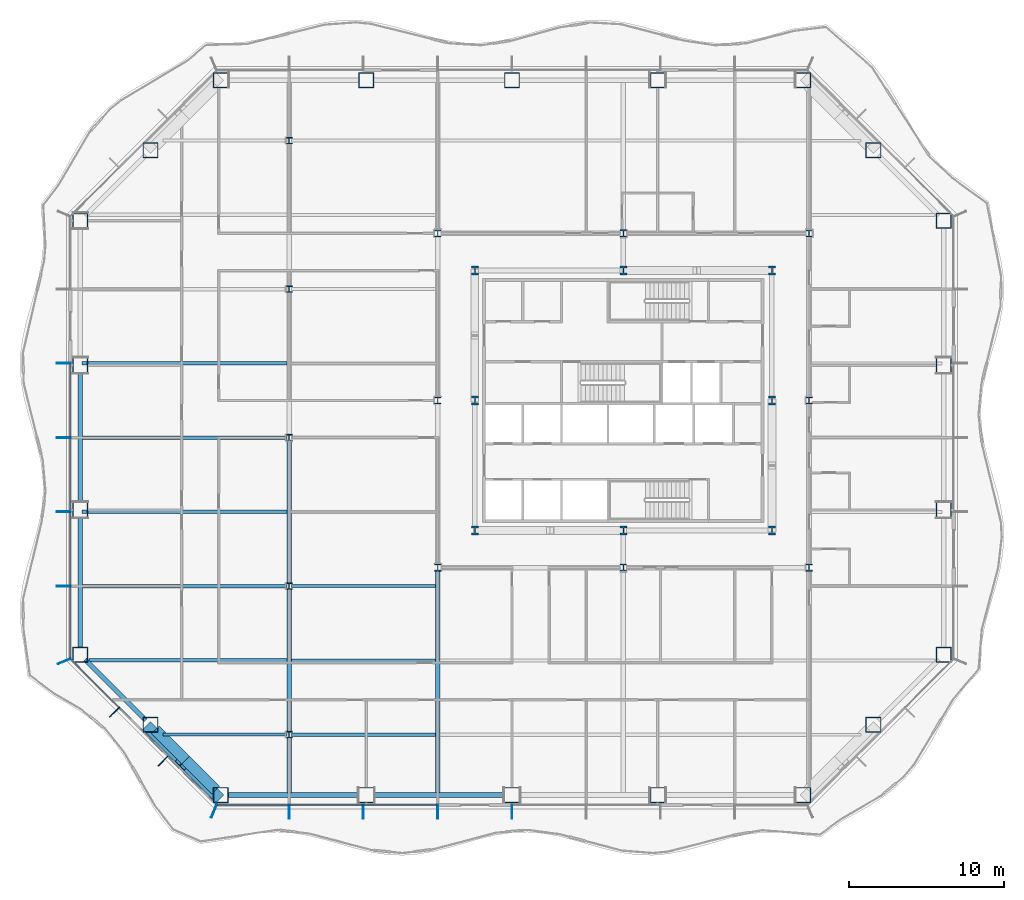
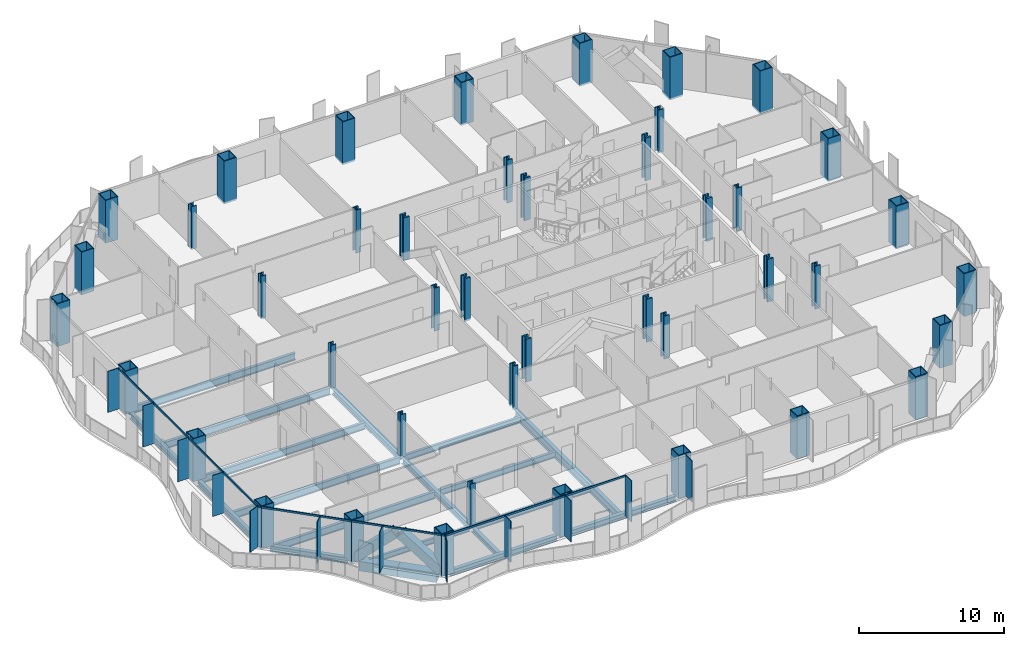
# One storey, part 1 of 21: 43 columns, 24 members, 20 beams, 3 elements without a shape of their own.
"""IFC4 building model written with IfcOpenShell, lengths in metres."""

import ifcopenshell
import ifcopenshell.guid

model = None  # the IFC model being written
_history = None  # IfcOwnerHistory: only IFC2X3 demands one
_inside = {}  # id of a spatial element -> (the spatial element, [elements in it])
_under = {}  # id of a project, library or spatial element -> (it, [spatial elements below it])
_declared = {}  # id of a project -> (the project, [libraries it declares])
_typed = {}  # id of a type object -> (the type object, [elements of that type])
_made_of = {}  # id of a material, layer set ... -> (it, [elements and type objects made of it])


def new_model(schema):
    """Start an empty IFC model of exactly this schema.

    Asked for "IFC4X3", IfcOpenShell would pick the latest addendum, in which some entities
    have other attributes; the version numbers below select the first issue.
    IFC2X3 requires an IfcOwnerHistory on every rooted entity: one is made here for all.
    """
    global model, _history
    if schema == "IFC4X3":
        model = ifcopenshell.file(schema_version=(4, 3, 0, 0))
    else:
        model = ifcopenshell.file(schema=schema)
    _inside.clear()
    _under.clear()
    _declared.clear()
    _typed.clear()
    _made_of.clear()
    _history = None
    if model.schema == "IFC2X3":
        org = make("IfcOrganization", Name="unknown")
        user = make(
            "IfcPersonAndOrganization",
            ThePerson=make("IfcPerson", FamilyName="unknown"),
            TheOrganization=org,
        )
        app = make(
            "IfcApplication",
            ApplicationDeveloper=org,
            Version="unknown",
            ApplicationFullName="unknown",
            ApplicationIdentifier="unknown",
        )
        _history = make(
            "IfcOwnerHistory",
            OwningUser=user,
            OwningApplication=app,
            ChangeAction="ADDED",
            CreationDate=0,
        )
    return model


def make(cls, **values):
    """One entity of the class cls with the attributes given. An attribute that is None is left unset."""
    return model.create_entity(
        cls, **{name: value for name, value in values.items() if value is not None}
    )


def rooted(cls, **values):
    """An entity with a GlobalId (a new one), such as an element, a storey or a relation."""
    return make(cls, GlobalId=ifcopenshell.guid.new(), OwnerHistory=_history, **values)


def si_unit(unit_type, name, prefix=None):
    """IfcSIUnit, for example si_unit("LENGTHUNIT", "METRE", prefix="MILLI")."""
    return make("IfcSIUnit", UnitType=unit_type, Prefix=prefix, Name=name)


def assignment(units):
    """IfcUnitAssignment: the units of a project."""
    return None if units is None else make("IfcUnitAssignment", Units=units)


def point(xyz):
    """IfcCartesianPoint."""
    return None if xyz is None else make("IfcCartesianPoint", Coordinates=xyz)


def direction(xyz):
    """IfcDirection."""
    return None if xyz is None else make("IfcDirection", DirectionRatios=xyz)


def frame(location, z_axis=None, x_axis=None):
    """IfcAxis2Placement3D, a coordinate frame: its origin and axes. An axis left out is left unset."""
    return make(
        "IfcAxis2Placement3D",
        Location=point(location),
        Axis=direction(z_axis),
        RefDirection=direction(x_axis),
    )


def frame_2d(location, x_axis=None):
    """IfcAxis2Placement2D, a coordinate frame in the plane: its origin and x axis."""
    return make(
        "IfcAxis2Placement2D", Location=point(location), RefDirection=direction(x_axis)
    )


def origin():
    """The frame at (0, 0, 0) with its axes left unset."""
    return frame((0.0, 0.0, 0.0))


def origin_2d():
    """The frame at (0, 0) in the plane with its x axis left unset."""
    return frame_2d((0.0, 0.0))


def place(relative_to, where):
    """IfcLocalPlacement: puts the frame where relative to a parent placement (None: the world)."""
    return make(
        "IfcLocalPlacement", PlacementRelTo=relative_to, RelativePlacement=where
    )


def context(
    kind, dimensions, precision=None, world=None, true_north=None, identifier=None
):
    """IfcGeometricRepresentationContext, for example the 3D "Model" context."""
    return make(
        "IfcGeometricRepresentationContext",
        ContextIdentifier=identifier,
        ContextType=kind,
        CoordinateSpaceDimension=dimensions,
        Precision=precision,
        WorldCoordinateSystem=world,
        TrueNorth=true_north,
    )


def subcontext(parent, identifier, kind, view, scale=None):
    """IfcGeometricRepresentationSubContext, for example "Body" below "Model"."""
    return make(
        "IfcGeometricRepresentationSubContext",
        ContextIdentifier=identifier,
        ContextType=kind,
        ParentContext=parent,
        TargetScale=scale,
        TargetView=view,
    )


def project(units=None, contexts=None):
    """IfcProject with its units and contexts."""
    return rooted(
        "IfcProject",
        Name="project",
        RepresentationContexts=contexts,
        UnitsInContext=assignment(units),
    )


def spatial(cls, under=None, at=None, **own):
    """A site, building, storey or space (cls), placed at a placement, below another one or the project."""
    s = rooted(cls, ObjectPlacement=at, **own)
    if under is not None:
        _under.setdefault(under.id(), (under, []))[1].append(s)
    return s


def profile(cls, at=None, kind="AREA", **sizes):
    """A parametric profile (cls). Its sizes go by their IFC names, for example OverallWidth=200.0."""
    return make(cls, ProfileType=kind, Position=at, **sizes)


def rectangle(**sizes):
    """IfcRectangleProfileDef."""
    return profile("IfcRectangleProfileDef", **sizes)


def hollow_rectangle(**sizes):
    """IfcRectangleHollowProfileDef."""
    return profile("IfcRectangleHollowProfileDef", **sizes)


def i_section(**sizes):
    """IfcIShapeProfileDef."""
    return profile("IfcIShapeProfileDef", **sizes)


def extrude(swept, where, along, depth):
    """IfcExtrudedAreaSolid: the profile swept, set in the frame where, extruded along a direction by depth."""
    return make(
        "IfcExtrudedAreaSolid",
        SweptArea=swept,
        Position=where,
        ExtrudedDirection=direction(along),
        Depth=depth,
    )


def shape(context_of_items, identifier, shape_type, items):
    """IfcShapeRepresentation: the items that make up one representation, for example the "Body"."""
    return make(
        "IfcShapeRepresentation",
        ContextOfItems=context_of_items,
        RepresentationIdentifier=identifier,
        RepresentationType=shape_type,
        Items=items,
    )


def material(Name=None, Category=None):
    """IfcMaterial."""
    return make("IfcMaterial", Name=Name, Category=Category)


def material_profile(
    of_material, cross_section, Name=None, Category=None, Priority=None
):
    """IfcMaterialProfile: a cross section and its material."""
    return make(
        "IfcMaterialProfile",
        Name=Name,
        Material=of_material,
        Profile=cross_section,
        Priority=Priority,
        Category=Category,
    )


def profile_set(profiles, Name=None, composite=None):
    """IfcMaterialProfileSet."""
    return make(
        "IfcMaterialProfileSet",
        Name=Name,
        MaterialProfiles=profiles,
        CompositeProfile=composite,
    )


def made_of(thing, what):
    """Note that an element or type object is made of a material, layer set ...; save() writes the relation."""
    if what is not None:
        _made_of.setdefault(what.id(), (what, []))[1].append(thing)
    return thing


def type_object(cls, material=None, **own):
    """A type object (cls), such as IfcWallType, which elements share."""
    return made_of(rooted(cls, **own), material)


def element(
    cls,
    number,
    at=None,
    inside=None,
    cuts=None,
    type_object=None,
    material=None,
    context=None,
    identifier="Body",
    shape_type=None,
    held_by="IfcProductDefinitionShape",
    body=None,
    shapes=None,
    **own,
):
    """One element of the class cls, such as IfcWall. Its Tag is "e" and its number.

    at: its placement. inside: the storey or other place that contains it. cuts: it is an
    opening in that element (IfcRelVoidsElement). A single representation is given by context,
    identifier, shape_type and body (its items); several are given by shapes. held_by: the class
    of the entity that holds the representations. save() writes the other relations.
    """
    e = rooted(cls, Tag="e%d" % number, ObjectPlacement=at, **own)
    if body is not None:
        shapes = [shape(context, identifier, shape_type, body)]
    if shapes is not None:
        e.Representation = make(held_by, Representations=shapes)
    if inside is not None:
        _inside.setdefault(inside.id(), (inside, []))[1].append(e)
    if cuts is not None:
        rooted(
            "IfcRelVoidsElement", RelatingBuildingElement=cuts, RelatedOpeningElement=e
        )
    if type_object is not None:
        _typed.setdefault(type_object.id(), (type_object, []))[1].append(e)
    return made_of(e, material)


def aggregate(whole, parts):
    """IfcRelAggregates: a whole, such as a stair, and the parts it consists of."""
    return rooted("IfcRelAggregates", RelatingObject=whole, RelatedObjects=parts)


def save(model, path):
    """Write the relations noted so far, then the file.

    IfcRelAggregates (storeys below a building ...), IfcRelContainedInSpatialStructure (elements
    in a storey), IfcRelDefinesByType, IfcRelAssociatesMaterial and IfcRelDeclares: one each for
    every whole, place, type object, material and project.
    """
    for whole, parts in _under.values():
        aggregate(whole, parts)
    for where, things in _inside.values():
        rooted(
            "IfcRelContainedInSpatialStructure",
            RelatedElements=things,
            RelatingStructure=where,
        )
    for kind, things in _typed.values():
        rooted("IfcRelDefinesByType", RelatedObjects=things, RelatingType=kind)
    for what, things in _made_of.values():
        rooted("IfcRelAssociatesMaterial", RelatedObjects=things, RelatingMaterial=what)
    for by, libraries in _declared.values():
        rooted("IfcRelDeclares", RelatingContext=by, RelatedDefinitions=libraries)
    model.write(path)


model = new_model("IFC4")

# Units and contexts
model_context = context("Model", 3, precision=1e-05, world=origin(), true_north=direction((0.0, 1.0)))
body_context = subcontext(model_context, "Body", "Model", "MODEL_VIEW")
ifc_project = project(units=[si_unit("LENGTHUNIT", "METRE"), si_unit("AREAUNIT", "SQUARE_METRE"), si_unit("VOLUMEUNIT", "CUBIC_METRE"), si_unit("PLANEANGLEUNIT", "RADIAN"), si_unit("MASSUNIT", "GRAM", prefix="KILO")], contexts=[model_context])

# Site, building, storey
site_placement = place(None, origin())
site = spatial("IfcSite", under=ifc_project, at=site_placement, CompositionType="ELEMENT")
building_placement = place(site_placement, origin())
building = spatial("IfcBuilding", under=site, at=building_placement, Name="Cairn Pilgrim Tower", CompositionType="ELEMENT")
storey_placement = place(building_placement, frame((0.0, 0.0, 58.199951171875)))
storey = spatial("IfcBuildingStorey", under=building, at=storey_placement, Name="L12", CompositionType="ELEMENT", Elevation=58.199951171875)

# Columns
ifc_material_1 = material(Name="Structural steel S460M", Category="steel")
ifc_material_profile_1 = material_profile(ifc_material_1, hollow_rectangle(XDim=1.0, YDim=1.0, WallThickness=0.06005859375, at=origin_2d()), Name="BOX 1000x1000x60")
ifc_profile_set_1 = profile_set([ifc_material_profile_1], Name="Structural steel S460M")
column_type_1 = type_object("IfcColumnType", Name="BOX 1000x1000x60", PredefinedType="COLUMN", material=ifc_profile_set_1)
for number, where, z_axis, x_axis, name in (
    (1, (-18.8271484375, -23.10009765625, -0.14990234375), (0.0, 0.0, 1.0), (1.0, 0.0, 0.0), "PC1-S1"),
    (2, (-9.41357421875, -23.10009765625, -0.14990234375), (0.0, 0.0, 1.0), (1.0, 0.0, 0.0), "PC1-S2"),
    (3, (0.0, -23.10009765625, -0.14990234375), (0.0, 0.0, 1.0), (1.0, 0.0, 0.0), "PC1-S3"),
    (4, (9.41357421875, -23.10009765625, -0.14990234375), (0.0, 0.0, 1.0), (1.0, 0.0, 0.0), "PC1-S4"),
    (5, (18.8271484375, -23.10009765625, -0.14990234375), (0.0, 0.0, 1.0), (1.0, 0.0, 0.0), "PC1-SE1"),
    (6, (23.363525390625, -18.563720703125, -0.14990234375), (0.0, 0.0, 1.0), (1.0, 0.0, 0.0), "PC1-SE2"),
    (7, (27.89990234375, -14.027099609375, -0.14990234375), (0.0, 0.0, 1.0), (1.0, 0.0, 0.0), "PC1-E1"),
    (8, (27.89990234375, -4.67578125, -0.14990234375), (0.0, 0.0, 1.0), (1.0, 0.0, 0.0), "PC1-E2"),
    (9, (27.89990234375, 4.67578125, -0.14990234375), (0.0, 0.0, 1.0), (1.0, 0.0, 0.0), "PC1-E3"),
    (10, (27.89990234375, 14.027099609375, -0.14990234375), (0.0, 0.0, 1.0), (1.0, 0.0, 0.0), "PC1-NE1"),
    (11, (23.363525390625, 18.563720703125, -0.14990234375), (0.0, 0.0, 1.0), (1.0, 0.0, 0.0), "PC1-NE2"),
    (12, (18.8271484375, 23.10009765625, -0.14990234375), (0.0, 0.0, 1.0), (1.0, 0.0, 0.0), "PC1-N1"),
    (13, (9.41357421875, 23.10009765625, -0.14990234375), (0.0, 0.0, 1.0), (1.0, 0.0, 0.0), "PC1-N2"),
    (14, (0.0, 23.10009765625, -0.14990234375), (0.0, 0.0, 1.0), (1.0, 0.0, 0.0), "PC1-N3"),
    (15, (-9.41357421875, 23.10009765625, -0.14990234375), (0.0, 0.0, 1.0), (1.0, 0.0, 0.0), "PC1-N4"),
    (16, (-18.8271484375, 23.10009765625, -0.14990234375), (0.0, 0.0, 1.0), (1.0, 0.0, 0.0), "PC1-NW1"),
    (17, (-23.363525390625, 18.563720703125, -0.14990234375), (0.0, 0.0, 1.0), (1.0, 0.0, 0.0), "PC1-NW2"),
    (18, (-27.89990234375, 14.027099609375, -0.14990234375), (0.0, 0.0, 1.0), (1.0, 0.0, 0.0), "PC1-W1"),
    (19, (-27.89990234375, 4.67578125, -0.14990234375), (0.0, 0.0, 1.0), (1.0, 0.0, 0.0), "PC1-W2"),
    (20, (-27.89990234375, -4.67578125, -0.14990234375), (0.0, 0.0, 1.0), (1.0, 0.0, 0.0), "PC1-W3"),
    (21, (-27.89990234375, -14.027099609375, -0.14990234375), (0.0, 0.0, 1.0), (1.0, 0.0, 0.0), "PC1-SW1"),
    (22, (-23.363525390625, -18.563720703125, -0.14990234375), (0.0, 0.0, 1.0), (1.0, 0.0, 0.0), "PC1-SW2"),
):
    element("IfcColumn", number, at=place(storey_placement, frame(where, z_axis=z_axis, x_axis=x_axis)), inside=storey, type_object=column_type_1, Name=name, PredefinedType="COLUMN", context=body_context, shape_type="SweptSolid", body=[
        extrude(hollow_rectangle(XDim=1.0, YDim=1.0, WallThickness=0.06005859375, at=origin_2d()), origin(), (0.0, 0.0, 1.0), 3.599853515625),
    ])
ifc_material_profile_2 = material_profile(ifc_material_1, i_section(OverallWidth=0.4541015625, OverallDepth=0.569091796875, WebThickness=0.077880859375, FlangeThickness=0.125, FilletRadius=0.014892578125, at=origin_2d()), Name="HD 400x1086")
ifc_profile_set_2 = profile_set([ifc_material_profile_2], Name="Structural steel S460M")
column_type_2 = type_object("IfcColumnType", Name="HD 400x1086", PredefinedType="COLUMN", material=ifc_profile_set_2)
for number, where, z_axis, x_axis, name in (
    (23, (-2.39990234375, -6.0, -0.14990234375), (0.0, 0.0, 1.0), (1.0, 0.0, 0.0), "KC-1"),
    (24, (7.199951171875, -6.0, -0.14990234375), (0.0, 0.0, 1.0), (1.0, 0.0, 0.0), "KC-2"),
    (25, (16.800048828125, -6.0, -0.14990234375), (0.0, 0.0, 1.0), (1.0, 0.0, 0.0), "KC-3"),
    (26, (-2.39990234375, 2.39990234375, -0.14990234375), (0.0, 0.0, 1.0), (1.0, 0.0, 0.0), "KC-4"),
    (27, (16.800048828125, 2.39990234375, -0.14990234375), (0.0, 0.0, 1.0), (1.0, 0.0, 0.0), "KC-5"),
    (28, (-2.39990234375, 10.800048828125, -0.14990234375), (0.0, 0.0, 1.0), (1.0, 0.0, 0.0), "KC-6"),
    (29, (7.199951171875, 10.800048828125, -0.14990234375), (0.0, 0.0, 1.0), (1.0, 0.0, 0.0), "KC-7"),
    (30, (16.800048828125, 10.800048828125, -0.14990234375), (0.0, 0.0, 1.0), (1.0, 0.0, 0.0), "KC-8"),
):
    element("IfcColumn", number, at=place(storey_placement, frame(where, z_axis=z_axis, x_axis=x_axis)), inside=storey, type_object=column_type_2, Name=name, PredefinedType="COLUMN", context=body_context, shape_type="SweptSolid", body=[
        extrude(i_section(OverallWidth=0.4541015625, OverallDepth=0.569091796875, WebThickness=0.077880859375, FlangeThickness=0.125, FilletRadius=0.014892578125, at=origin_2d()), origin(), (0.0, 0.0, 1.0), 3.599853515625),
    ])
ifc_material_profile_3 = material_profile(ifc_material_1, i_section(OverallWidth=0.408935546875, OverallDepth=0.425048828125, WebThickness=0.03271484375, FlangeThickness=0.052490234375, FilletRadius=0.014892578125, at=origin_2d()), Name="HD 400x421")
ifc_profile_set_3 = profile_set([ifc_material_profile_3], Name="Structural steel S460M")
column_type_3 = type_object("IfcColumnType", Name="HD 400x421", PredefinedType="COLUMN", material=ifc_profile_set_3)
for number, where, z_axis, x_axis, name in (
    (31, (-14.39990234375, -19.199951171875, -0.14990234375), (0.0, 0.0, 1.0), (1.0, 0.0, 0.0), "WC-WW-4"),
    (32, (-14.39990234375, -9.60009765625, -0.14990234375), (0.0, 0.0, 1.0), (1.0, 0.0, 0.0), "WC-WW-2"),
    (33, (-14.39990234375, 0.0, -0.14990234375), (0.0, 0.0, 1.0), (1.0, 0.0, 0.0), "WC-WW+0"),
    (34, (-14.39990234375, 9.60009765625, -0.14990234375), (0.0, 0.0, 1.0), (1.0, 0.0, 0.0), "WC-WW+2"),
    (35, (-14.39990234375, 19.199951171875, -0.14990234375), (0.0, 0.0, 1.0), (1.0, 0.0, 0.0), "WC-WW+4"),
):
    element("IfcColumn", number, at=place(storey_placement, frame(where, z_axis=z_axis, x_axis=x_axis)), inside=storey, type_object=column_type_3, Name=name, PredefinedType="COLUMN", context=body_context, shape_type="SweptSolid", body=[
        extrude(i_section(OverallWidth=0.408935546875, OverallDepth=0.425048828125, WebThickness=0.03271484375, FlangeThickness=0.052490234375, FilletRadius=0.014892578125, at=origin_2d()), origin(), (0.0, 0.0, 1.0), 3.599853515625),
    ])
ifc_material_profile_4 = material_profile(ifc_material_1, i_section(OverallWidth=0.424072265625, OverallDepth=0.47412109375, WebThickness=0.047607421875, FlangeThickness=0.0771484375, FilletRadius=0.014892578125, at=origin_2d()), Name="HD 400x634")
ifc_profile_set_4 = profile_set([ifc_material_profile_4], Name="Structural steel S460M")
column_type_4 = type_object("IfcColumnType", Name="HD 400x634", PredefinedType="COLUMN", material=ifc_profile_set_4)
for number, where, z_axis, x_axis, name in (
    (36, (-4.800048828125, -8.39990234375, -0.14990234375), (0.0, 0.0, 1.0), (1.0, 0.0, 0.0), "IC-1"),
    (37, (7.199951171875, -8.39990234375, -0.14990234375), (0.0, 0.0, 1.0), (1.0, 0.0, 0.0), "IC-2"),
    (38, (19.199951171875, -8.39990234375, -0.14990234375), (0.0, 0.0, 1.0), (1.0, 0.0, 0.0), "IC-3"),
    (39, (-4.800048828125, 2.39990234375, -0.14990234375), (0.0, 0.0, 1.0), (1.0, 0.0, 0.0), "IC-4"),
    (40, (19.199951171875, 2.39990234375, -0.14990234375), (0.0, 0.0, 1.0), (1.0, 0.0, 0.0), "IC-5"),
    (41, (-4.800048828125, 13.199951171875, -0.14990234375), (0.0, 0.0, 1.0), (1.0, 0.0, 0.0), "IC-6"),
    (42, (7.199951171875, 13.199951171875, -0.14990234375), (0.0, 0.0, 1.0), (1.0, 0.0, 0.0), "IC-7"),
    (43, (19.199951171875, 13.199951171875, -0.14990234375), (0.0, 0.0, 1.0), (1.0, 0.0, 0.0), "IC-8"),
):
    element("IfcColumn", number, at=place(storey_placement, frame(where, z_axis=z_axis, x_axis=x_axis)), inside=storey, type_object=column_type_4, Name=name, PredefinedType="COLUMN", context=body_context, shape_type="SweptSolid", body=[
        extrude(i_section(OverallWidth=0.424072265625, OverallDepth=0.47412109375, WebThickness=0.047607421875, FlangeThickness=0.0771484375, FilletRadius=0.014892578125, at=origin_2d()), origin(), (0.0, 0.0, 1.0), 3.599853515625),
    ])

# Members
ifc_material_profile_5 = material_profile(ifc_material_1, hollow_rectangle(XDim=0.699951171875, YDim=0.699951171875, WallThickness=0.0400390625, at=origin_2d()), Name="BOX 700x700x40")
ifc_profile_set_5 = profile_set([ifc_material_profile_5], Name="Structural steel S460M")
member_type_1 = type_object("IfcMemberType", Name="BOX 700x700x40 BRACE", PredefinedType="BRACE", material=ifc_profile_set_5)
member_1_placement = place(storey_placement, frame((-23.44482421875, -18.786376953125, 0.150146484375), z_axis=(0.528090425698, -0.528090425698, 0.665012033404), x_axis=(0.707106781187, 0.707106781187, 0.0)))
element("IfcMember", 44, at=member_1_placement, inside=storey, type_object=member_type_1, Name="XB-SW2-S1-1", PredefinedType="BRACE", context=body_context, shape_type="SweptSolid", body=[
    extrude(hollow_rectangle(XDim=0.699951171875, YDim=0.699951171875, WallThickness=0.0400390625, at=origin_2d()), origin(), (0.0, 0.0, 1.0), 3.899658203125),
])
member_2_placement = place(storey_placement, frame((-19.0498046875, -23.181396484375, 0.150146484375), z_axis=(-0.528118110354, 0.528118110354, 0.664968061663), x_axis=(-0.707106781187, -0.707106781187, 0.0)))
element("IfcMember", 45, at=member_2_placement, inside=storey, type_object=member_type_1, Name="XB-SW2-S1-2", PredefinedType="BRACE", context=body_context, shape_type="SweptSolid", body=[
    extrude(hollow_rectangle(XDim=0.699951171875, YDim=0.699951171875, WallThickness=0.0400390625, at=origin_2d()), origin(), (0.0, 0.0, 1.0), 3.89990234375),
])

# Beams
ifc_material_2 = material(Name="Structural steel S355J2", Category="steel")
ifc_material_profile_6 = material_profile(ifc_material_2, hollow_rectangle(XDim=0.699951171875, YDim=0.800048828125, WallThickness=0.0400390625, at=origin_2d()), Name="BOX 700x800x40")
ifc_profile_set_6 = profile_set([ifc_material_profile_6], Name="Structural steel S355J2")
beam_type_1 = type_object("IfcBeamType", Name="BOX 700x800x40 RING GIRDER", PredefinedType="SPANDREL", material=ifc_profile_set_6)
for number, where, z_axis, x_axis, name in (
    (46, (-23.04541015625, -18.8818359375, -0.550048828125), (0.707106781187, -0.707106781187, 0.0), (0.707106781187, 0.707106781187, 0.0), "RG1-SW2-S1-1"),
    (47, (-21.095458984375, -20.831787109375, -0.550048828125), (0.707106781187, -0.707106781187, 0.0), (0.707106781187, 0.707106781187, 0.0), "RG1-SW2-S1-2"),
):
    element("IfcBeam", number, at=place(storey_placement, frame(where, z_axis=z_axis, x_axis=x_axis)), inside=storey, type_object=beam_type_1, Name=name, PredefinedType="SPANDREL", context=body_context, shape_type="SweptSolid", body=[
        extrude(hollow_rectangle(XDim=0.699951171875, YDim=0.800048828125, WallThickness=0.0400390625, at=origin_2d()), origin(), (0.0, 0.0, 1.0), 2.757568359375),
    ])

# Curtain wall, members
ifc_material_3 = material(Name="Aluminium alloy 6063-T6 bronze anodised with Bronze tinted laminated low-E glass 8+16+8.8", Category="aluminium")
curtain_wall_type_1 = type_object("IfcCurtainWallType", Name="TOWER STICK CURTAIN WALL NS", PredefinedType="NOTDEFINED", material=ifc_material_3)
curtain_wall_1_placement = place(storey_placement, origin())
curtain_wall_1 = element("IfcCurtainWall", 48, at=curtain_wall_1_placement, inside=storey, type_object=curtain_wall_type_1, Name="Tower Stick Curtain Wall Ns S", PredefinedType="NOTDEFINED")
ifc_material_4 = material(Name="Aluminium alloy 6063-T6 bronze anodised", Category="aluminium")
ifc_material_profile_7 = material_profile(ifc_material_4, rectangle(XDim=0.89990234375, YDim=0.06005859375, at=origin_2d()), Name="FIN MULLION 60x900 BRONZE")
ifc_profile_set_7 = profile_set([ifc_material_profile_7], Name="Aluminium alloy 6063-T6 bronze anodised")
member_type_2 = type_object("IfcMemberType", Name="FIN MULLION 60x900 BRONZE", PredefinedType="MULLION", material=ifc_profile_set_7)
member_3_placement = place(storey_placement, frame((-19.257080078125, -24.137939453125, 0.0), z_axis=(0.0, 0.0, 1.0), x_axis=(-0.382683432365, -0.923879532511, 0.0)))
member_3 = element("IfcMember", 49, at=member_3_placement, type_object=member_type_2, Name="Fin mullion S1", PredefinedType="MULLION", context=body_context, shape_type="SweptSolid", body=[
    extrude(rectangle(XDim=0.89990234375, YDim=0.06005859375, at=origin_2d()), origin(), (0.0, 0.0, 1.0), 3.449951171875),
])
member_4_placement = place(storey_placement, frame((-14.39990234375, -24.169921875, 0.0), z_axis=(0.0, 0.0, 1.0), x_axis=(0.0, -1.0, 0.0)))
member_4 = element("IfcMember", 50, at=member_4_placement, type_object=member_type_2, Name="Fin mullion S2", PredefinedType="MULLION", context=body_context, shape_type="SweptSolid", body=[
    extrude(rectangle(XDim=0.89990234375, YDim=0.06005859375, at=origin_2d()), origin(), (0.0, 0.0, 1.0), 3.449951171875),
])
member_5_placement = place(storey_placement, frame((-9.60009765625, -24.169921875, 0.0), z_axis=(0.0, 0.0, 1.0), x_axis=(0.0, -1.0, 0.0)))
member_5 = element("IfcMember", 51, at=member_5_placement, type_object=member_type_2, Name="Fin mullion S3", PredefinedType="MULLION", context=body_context, shape_type="SweptSolid", body=[
    extrude(rectangle(XDim=0.89990234375, YDim=0.06005859375, at=origin_2d()), origin(), (0.0, 0.0, 1.0), 3.449951171875),
])
member_6_placement = place(storey_placement, frame((-4.800048828125, -24.169921875, 0.0), z_axis=(0.0, 0.0, 1.0), x_axis=(0.0, -1.0, 0.0)))
member_6 = element("IfcMember", 52, at=member_6_placement, type_object=member_type_2, Name="Fin mullion S4", PredefinedType="MULLION", context=body_context, shape_type="SweptSolid", body=[
    extrude(rectangle(XDim=0.89990234375, YDim=0.06005859375, at=origin_2d()), origin(), (0.0, 0.0, 1.0), 3.449951171875),
])
member_7_placement = place(storey_placement, frame((0.0, -24.169921875, 0.0), z_axis=(0.0, 0.0, 1.0), x_axis=(0.0, -1.0, 0.0)))
member_7 = element("IfcMember", 53, at=member_7_placement, type_object=member_type_2, Name="Fin mullion S5", PredefinedType="MULLION", context=body_context, shape_type="SweptSolid", body=[
    extrude(rectangle(XDim=0.89990234375, YDim=0.06005859375, at=origin_2d()), origin(), (0.0, 0.0, 1.0), 3.449951171875),
])

curtain_wall_type_2 = type_object("IfcCurtainWallType", Name="TOWER STICK CURTAIN WALL EW", PredefinedType="NOTDEFINED", material=ifc_material_3)
curtain_wall_2_placement = place(storey_placement, origin())
curtain_wall_2 = element("IfcCurtainWall", 54, at=curtain_wall_2_placement, inside=storey, type_object=curtain_wall_type_2, Name="Tower Stick Curtain Wall Ew W", PredefinedType="NOTDEFINED")
member_8_placement = place(storey_placement, frame((-28.969970703125, 4.800048828125, 0.0), z_axis=(0.0, 0.0, 1.0), x_axis=(-1.0, 0.0, 0.0)))
member_8 = element("IfcMember", 55, at=member_8_placement, type_object=member_type_2, Name="Fin mullion W3", PredefinedType="MULLION", context=body_context, shape_type="SweptSolid", body=[
    extrude(rectangle(XDim=0.89990234375, YDim=0.06005859375, at=origin_2d()), origin(), (0.0, 0.0, 1.0), 3.449951171875),
])
member_9_placement = place(storey_placement, frame((-28.969970703125, 0.0, 0.0), z_axis=(0.0, 0.0, 1.0), x_axis=(-1.0, 0.0, 0.0)))
member_9 = element("IfcMember", 56, at=member_9_placement, type_object=member_type_2, Name="Fin mullion W4", PredefinedType="MULLION", context=body_context, shape_type="SweptSolid", body=[
    extrude(rectangle(XDim=0.89990234375, YDim=0.06005859375, at=origin_2d()), origin(), (0.0, 0.0, 1.0), 3.449951171875),
])
member_10_placement = place(storey_placement, frame((-28.969970703125, -4.800048828125, 0.0), z_axis=(0.0, 0.0, 1.0), x_axis=(-1.0, 0.0, 0.0)))
member_10 = element("IfcMember", 57, at=member_10_placement, type_object=member_type_2, Name="Fin mullion W5", PredefinedType="MULLION", context=body_context, shape_type="SweptSolid", body=[
    extrude(rectangle(XDim=0.89990234375, YDim=0.06005859375, at=origin_2d()), origin(), (0.0, 0.0, 1.0), 3.449951171875),
])
member_11_placement = place(storey_placement, frame((-28.969970703125, -9.60009765625, 0.0), z_axis=(0.0, 0.0, 1.0), x_axis=(-1.0, 0.0, 0.0)))
member_11 = element("IfcMember", 58, at=member_11_placement, type_object=member_type_2, Name="Fin mullion W6", PredefinedType="MULLION", context=body_context, shape_type="SweptSolid", body=[
    extrude(rectangle(XDim=0.89990234375, YDim=0.06005859375, at=origin_2d()), origin(), (0.0, 0.0, 1.0), 3.449951171875),
])

curtain_wall_type_3 = type_object("IfcCurtainWallType", Name="CHAMFER CORNER CURTAIN WALL", PredefinedType="NOTDEFINED", material=ifc_material_3)
curtain_wall_3_placement = place(storey_placement, origin())
curtain_wall_3 = element("IfcCurtainWall", 59, at=curtain_wall_3_placement, inside=storey, type_object=curtain_wall_type_3, Name="Chamfer Corner Curtain Wall SW", PredefinedType="NOTDEFINED")
member_12_placement = place(storey_placement, frame((-28.93798828125, -14.457275390625, 0.0), z_axis=(0.0, 0.0, 1.0), x_axis=(-0.923879532511, -0.382683432365, 0.0)))
member_12 = element("IfcMember", 60, at=member_12_placement, type_object=member_type_2, Name="Fin mullion SW1", PredefinedType="MULLION", context=body_context, shape_type="SweptSolid", body=[
    extrude(rectangle(XDim=0.89990234375, YDim=0.06005859375, at=origin_2d()), origin(), (0.0, 0.0, 1.0), 3.449951171875),
])
member_13_placement = place(storey_placement, frame((-25.69580078125, -17.74462890625, 0.0), z_axis=(0.0, 0.0, 1.0), x_axis=(-0.707106781187, -0.707106781187, 0.0)))
member_13 = element("IfcMember", 61, at=member_13_placement, type_object=member_type_2, Name="Fin mullion SW2", PredefinedType="MULLION", context=body_context, shape_type="SweptSolid", body=[
    extrude(rectangle(XDim=0.89990234375, YDim=0.06005859375, at=origin_2d()), origin(), (0.0, 0.0, 1.0), 3.449951171875),
])
member_14_placement = place(storey_placement, frame((-22.544677734375, -20.895751953125, 0.0), z_axis=(0.0, 0.0, 1.0), x_axis=(-0.707106781187, -0.707106781187, 0.0)))
member_14 = element("IfcMember", 62, at=member_14_placement, type_object=member_type_2, Name="Fin mullion SW3", PredefinedType="MULLION", context=body_context, shape_type="SweptSolid", body=[
    extrude(rectangle(XDim=0.89990234375, YDim=0.06005859375, at=origin_2d()), origin(), (0.0, 0.0, 1.0), 3.449951171875),
])

# Beams
ifc_material_profile_8 = material_profile(ifc_material_2, i_section(OverallWidth=0.300048828125, OverallDepth=0.39990234375, WebThickness=0.013427734375, FlangeThickness=0.02392578125, FilletRadius=0.027099609375, at=origin_2d()), Name="HEB 400")
ifc_profile_set_8 = profile_set([ifc_material_profile_8], Name="Structural steel S355J2")
beam_type_2 = type_object("IfcBeamType", Name="HEB 400 GIRDER", PredefinedType="BEAM", material=ifc_profile_set_8)
beam_1_placement = place(storey_placement, frame((-14.39990234375, -22.97998046875, -0.349853515625), z_axis=(0.0, 1.0, 0.0), x_axis=(-1.0, 0.0, 0.0)))
element("IfcBeam", 63, at=beam_1_placement, inside=storey, type_object=beam_type_2, Name="PG1-1", PredefinedType="BEAM", context=body_context, shape_type="SweptSolid", body=[
    extrude(i_section(OverallWidth=0.300048828125, OverallDepth=0.39990234375, WebThickness=0.013427734375, FlangeThickness=0.02392578125, FilletRadius=0.027099609375, at=origin_2d()), origin(), (0.0, 0.0, 1.0), 3.575439453125),
])
ifc_material_profile_9 = material_profile(ifc_material_2, i_section(OverallWidth=0.300048828125, OverallDepth=0.5, WebThickness=0.014404296875, FlangeThickness=0.028076171875, FilletRadius=0.027099609375, at=origin_2d()), Name="HEB 500")
ifc_profile_set_9 = profile_set([ifc_material_profile_9], Name="Structural steel S355J2")
beam_type_3 = type_object("IfcBeamType", Name="HEB 500 GIRDER", PredefinedType="BEAM", material=ifc_profile_set_9)
beam_2_placement = place(storey_placement, frame((-14.39990234375, -18.99560546875, -0.39990234375), z_axis=(0.0, 1.0, 0.0), x_axis=(-1.0, 0.0, 0.0)))
element("IfcBeam", 64, at=beam_2_placement, inside=storey, type_object=beam_type_3, Name="PG1-2", PredefinedType="BEAM", context=body_context, shape_type="SweptSolid", body=[
    extrude(i_section(OverallWidth=0.300048828125, OverallDepth=0.5, WebThickness=0.014404296875, FlangeThickness=0.028076171875, FilletRadius=0.027099609375, at=origin_2d()), origin(), (0.0, 0.0, 1.0), 9.191162109375),
])
beam_3_placement = place(storey_placement, frame((-14.39990234375, -9.3955078125, -0.39990234375), z_axis=(0.0, 1.0, 0.0), x_axis=(-1.0, 0.0, 0.0)))
element("IfcBeam", 65, at=beam_3_placement, inside=storey, type_object=beam_type_3, Name="PG1-3", PredefinedType="BEAM", context=body_context, shape_type="SweptSolid", body=[
    extrude(i_section(OverallWidth=0.300048828125, OverallDepth=0.5, WebThickness=0.014404296875, FlangeThickness=0.028076171875, FilletRadius=0.027099609375, at=origin_2d()), origin(), (0.0, 0.0, 1.0), 9.19091796875),
])
ifc_material_profile_10 = material_profile(ifc_material_2, i_section(OverallWidth=0.300048828125, OverallDepth=0.5, WebThickness=0.014404296875, FlangeThickness=0.028076171875, FilletRadius=0.027099609375, at=origin_2d()), Name="HEB 500")
ifc_profile_set_10 = profile_set([ifc_material_profile_10], Name="Structural steel S355J2")
beam_type_4 = type_object("IfcBeamType", Name="HEB 500 RING GIRDER", PredefinedType="SPANDREL", material=ifc_profile_set_10)
for number, where, z_axis, x_axis, name in (
    (66, (-18.377197265625, -23.10009765625, -0.39990234375), (1.0, 0.0, 0.0), (0.0, 1.0, 0.0), "RG1-S1-S2"),
    (67, (-8.963623046875, -23.10009765625, -0.39990234375), (1.0, 0.0, 0.0), (0.0, 1.0, 0.0), "RG1-S2-S3"),
):
    element("IfcBeam", number, at=place(storey_placement, frame(where, z_axis=z_axis, x_axis=x_axis)), inside=storey, type_object=beam_type_4, Name=name, PredefinedType="SPANDREL", context=body_context, shape_type="SweptSolid", body=[
        extrude(i_section(OverallWidth=0.300048828125, OverallDepth=0.5, WebThickness=0.014404296875, FlangeThickness=0.028076171875, FilletRadius=0.027099609375, at=origin_2d()), origin(), (0.0, 0.0, 1.0), 8.513671875),
    ])
beam_4_placement = place(storey_placement, frame((-27.89990234375, 4.2255859375, -0.39990234375), z_axis=(0.0, -1.0, 0.0), x_axis=(1.0, 0.0, 0.0)))
element("IfcBeam", 68, at=beam_4_placement, inside=storey, type_object=beam_type_4, Name="RG1-W2-W3", PredefinedType="SPANDREL", context=body_context, shape_type="SweptSolid", body=[
    extrude(i_section(OverallWidth=0.300048828125, OverallDepth=0.5, WebThickness=0.014404296875, FlangeThickness=0.028076171875, FilletRadius=0.027099609375, at=origin_2d()), origin(), (0.0, 0.0, 1.0), 8.451171875),
])
beam_5_placement = place(storey_placement, frame((-27.89990234375, -5.125732421875, -0.39990234375), z_axis=(0.0, -1.0, 0.0), x_axis=(1.0, 0.0, 0.0)))
element("IfcBeam", 69, at=beam_5_placement, inside=storey, type_object=beam_type_4, Name="RG1-W3-SW1", PredefinedType="SPANDREL", context=body_context, shape_type="SweptSolid", body=[
    extrude(i_section(OverallWidth=0.300048828125, OverallDepth=0.5, WebThickness=0.014404296875, FlangeThickness=0.028076171875, FilletRadius=0.027099609375, at=origin_2d()), origin(), (0.0, 0.0, 1.0), 8.451416015625),
])
beam_6_placement = place(storey_placement, frame((-27.581787109375, -14.345458984375, -0.39990234375), z_axis=(0.707106781187, -0.707106781187, 0.0), x_axis=(0.707106781187, 0.707106781187, 0.0)))
element("IfcBeam", 70, at=beam_6_placement, inside=storey, type_object=beam_type_4, Name="RG1-SW1-SW2", PredefinedType="SPANDREL", context=body_context, shape_type="SweptSolid", body=[
    extrude(i_section(OverallWidth=0.300048828125, OverallDepth=0.5, WebThickness=0.014404296875, FlangeThickness=0.028076171875, FilletRadius=0.027099609375, at=origin_2d()), origin(), (0.0, 0.0, 1.0), 5.515380859375),
])
ifc_material_profile_11 = material_profile(ifc_material_2, i_section(OverallWidth=0.300048828125, OverallDepth=0.699951171875, WebThickness=0.01708984375, FlangeThickness=0.031982421875, FilletRadius=0.027099609375, at=origin_2d()), Name="HEB 700")
ifc_profile_set_11 = profile_set([ifc_material_profile_11], Name="Structural steel S355J2")
beam_type_5 = type_object("IfcBeamType", Name="HEB 700 GIRDER", PredefinedType="BEAM", material=ifc_profile_set_11)
beam_7_placement = place(storey_placement, frame((-4.800048828125, -22.97998046875, -0.5), z_axis=(0.0, 1.0, 0.0), x_axis=(-1.0, 0.0, 0.0)))
element("IfcBeam", 71, at=beam_7_placement, inside=storey, type_object=beam_type_5, Name="PG2-1", PredefinedType="BEAM", context=body_context, shape_type="SweptSolid", body=[
    extrude(i_section(OverallWidth=0.300048828125, OverallDepth=0.699951171875, WebThickness=0.01708984375, FlangeThickness=0.031982421875, FilletRadius=0.027099609375, at=origin_2d()), origin(), (0.0, 0.0, 1.0), 14.367919921875),
])
ifc_material_profile_12 = material_profile(ifc_material_2, i_section(OverallWidth=0.18994140625, OverallDepth=0.449951171875, WebThickness=0.009521484375, FlangeThickness=0.0146484375, FilletRadius=0.02099609375, at=origin_2d()), Name="IPE 450")
ifc_profile_set_12 = profile_set([ifc_material_profile_12], Name="Structural steel S355J2")
beam_type_6 = type_object("IfcBeamType", Name="IPE 450 SECONDARY BEAM", PredefinedType="JOIST", material=ifc_profile_set_12)
beam_8_placement = place(storey_placement, frame((-22.545166015625, -19.199951171875, -0.375), z_axis=(1.0, 0.0, 0.0), x_axis=(0.0, 1.0, 0.0)))
element("IfcBeam", 72, at=beam_8_placement, inside=storey, type_object=beam_type_6, Name="SB1-1", PredefinedType="JOIST", context=body_context, shape_type="SweptSolid", body=[
    extrude(i_section(OverallWidth=0.18994140625, OverallDepth=0.449951171875, WebThickness=0.009521484375, FlangeThickness=0.0146484375, FilletRadius=0.02099609375, at=origin_2d()), origin(), (0.0, 0.0, 1.0), 7.9951171875),
])
ifc_material_profile_13 = material_profile(ifc_material_2, i_section(OverallWidth=0.199951171875, OverallDepth=0.5, WebThickness=0.01025390625, FlangeThickness=0.01611328125, FilletRadius=0.02099609375, at=origin_2d()), Name="IPE 500")
ifc_profile_set_13 = profile_set([ifc_material_profile_13], Name="Structural steel S355J2")
beam_type_7 = type_object("IfcBeamType", Name="IPE 500 SECONDARY BEAM", PredefinedType="JOIST", material=ifc_profile_set_13)
for number, where, z_axis, x_axis, name in (
    (73, (-14.25, -19.199951171875, -0.39990234375), (1.0, 0.0, 0.0), (0.0, 1.0, 0.0), "SB1-2"),
    (74, (-14.25, -14.39990234375, -0.39990234375), (1.0, 0.0, 0.0), (0.0, 1.0, 0.0), "SB2-2"),
    (75, (-14.25, -9.60009765625, -0.39990234375), (1.0, 0.0, 0.0), (0.0, 1.0, 0.0), "SB3-2"),
):
    element("IfcBeam", number, at=place(storey_placement, frame(where, z_axis=z_axis, x_axis=x_axis)), inside=storey, type_object=beam_type_7, Name=name, PredefinedType="JOIST", context=body_context, shape_type="SweptSolid", body=[
        extrude(i_section(OverallWidth=0.199951171875, OverallDepth=0.5, WebThickness=0.01025390625, FlangeThickness=0.01611328125, FilletRadius=0.02099609375, at=origin_2d()), origin(), (0.0, 0.0, 1.0), 9.300048828125),
    ])
ifc_material_profile_14 = material_profile(ifc_material_2, i_section(OverallWidth=0.219970703125, OverallDepth=0.60009765625, WebThickness=0.011962890625, FlangeThickness=0.01904296875, FilletRadius=0.02392578125, at=origin_2d()), Name="IPE 600")
ifc_profile_set_14 = profile_set([ifc_material_profile_14], Name="Structural steel S355J2")
beam_type_8 = type_object("IfcBeamType", Name="IPE 600 SECONDARY BEAM", PredefinedType="JOIST", material=ifc_profile_set_14)
beam_9_placement = place(storey_placement, frame((-27.34521484375, -14.39990234375, -0.449951171875), z_axis=(1.0, 0.0, 0.0), x_axis=(0.0, 1.0, 0.0)))
element("IfcBeam", 76, at=beam_9_placement, inside=storey, type_object=beam_type_8, Name="SB2-1", PredefinedType="JOIST", context=body_context, shape_type="SweptSolid", body=[
    extrude(i_section(OverallWidth=0.219970703125, OverallDepth=0.60009765625, WebThickness=0.011962890625, FlangeThickness=0.01904296875, FilletRadius=0.02392578125, at=origin_2d()), origin(), (0.0, 0.0, 1.0), 12.795166015625),
])
for number, where, z_axis, x_axis, name in (
    (77, (-27.780029296875, -9.60009765625, -0.449951171875), (1.0, 0.0, 0.0), (0.0, 1.0, 0.0), "SB3-1"),
    (78, (-27.780029296875, -4.800048828125, -0.449951171875), (1.0, 0.0, 0.0), (0.0, 1.0, 0.0), "SB4-1"),
    (79, (-27.780029296875, 0.0, -0.449951171875), (1.0, 0.0, 0.0), (0.0, 1.0, 0.0), "SB5-1"),
    (80, (-27.780029296875, 4.800048828125, -0.449951171875), (1.0, 0.0, 0.0), (0.0, 1.0, 0.0), "SB6-1"),
):
    element("IfcBeam", number, at=place(storey_placement, frame(where, z_axis=z_axis, x_axis=x_axis)), inside=storey, type_object=beam_type_8, Name=name, PredefinedType="JOIST", context=body_context, shape_type="SweptSolid", body=[
        extrude(i_section(OverallWidth=0.219970703125, OverallDepth=0.60009765625, WebThickness=0.011962890625, FlangeThickness=0.01904296875, FilletRadius=0.02392578125, at=origin_2d()), origin(), (0.0, 0.0, 1.0), 13.22998046875),
    ])

# Member
ifc_material_profile_15 = material_profile(ifc_material_4, rectangle(XDim=0.080078125, YDim=0.14990234375, at=origin_2d()), Name="TRANSOM 80x150 BRONZE")
ifc_profile_set_15 = profile_set([ifc_material_profile_15], Name="Aluminium alloy 6063-T6 bronze anodised")
member_type_3 = type_object("IfcMemberType", Name="TRANSOM 80x150 BRONZE", PredefinedType="USERDEFINED", material=ifc_profile_set_15)
member_15_placement = place(storey_placement, frame((-19.056396484375, -23.75, 3.375), z_axis=(1.0, 0.0, 0.0), x_axis=(0.0, 1.0, 0.0)))
member_15 = element("IfcMember", 81, at=member_15_placement, type_object=member_type_3, Name="Transom S1", ObjectType="TRANSOM", PredefinedType="USERDEFINED", context=body_context, shape_type="SweptSolid", body=[
    extrude(rectangle(XDim=0.080078125, YDim=0.14990234375, at=origin_2d()), origin(), (0.0, 0.0, 1.0), 4.62646484375),
])

member_16_placement = place(storey_placement, frame((-14.3701171875, -23.75, 3.375), z_axis=(1.0, 0.0, 0.0), x_axis=(0.0, 1.0, 0.0)))
member_16 = element("IfcMember", 82, at=member_16_placement, type_object=member_type_3, Name="Transom S2", ObjectType="TRANSOM", PredefinedType="USERDEFINED", context=body_context, shape_type="SweptSolid", body=[
    extrude(rectangle(XDim=0.080078125, YDim=0.14990234375, at=origin_2d()), origin(), (0.0, 0.0, 1.0), 4.740234375),
])

member_17_placement = place(storey_placement, frame((-9.570068359375, -23.75, 3.375), z_axis=(1.0, 0.0, 0.0), x_axis=(0.0, 1.0, 0.0)))
member_17 = element("IfcMember", 83, at=member_17_placement, type_object=member_type_3, Name="Transom S3", ObjectType="TRANSOM", PredefinedType="USERDEFINED", context=body_context, shape_type="SweptSolid", body=[
    extrude(rectangle(XDim=0.080078125, YDim=0.14990234375, at=origin_2d()), origin(), (0.0, 0.0, 1.0), 4.739990234375),
])

aggregate(curtain_wall_1, [member_3, member_4, member_5, member_6, member_7, member_15, member_16, member_17])

member_18_placement = place(storey_placement, frame((-28.550048828125, 4.77001953125, 3.375), z_axis=(0.0, -1.0, 0.0), x_axis=(1.0, 0.0, 0.0)))
member_18 = element("IfcMember", 84, at=member_18_placement, type_object=member_type_3, Name="Transom W3", ObjectType="TRANSOM", PredefinedType="USERDEFINED", context=body_context, shape_type="SweptSolid", body=[
    extrude(rectangle(XDim=0.080078125, YDim=0.14990234375, at=origin_2d()), origin(), (0.0, 0.0, 1.0), 4.739990234375),
])

member_19_placement = place(storey_placement, frame((-28.550048828125, -0.030029296875, 3.375), z_axis=(0.0, -1.0, 0.0), x_axis=(1.0, 0.0, 0.0)))
member_19 = element("IfcMember", 85, at=member_19_placement, type_object=member_type_3, Name="Transom W4", ObjectType="TRANSOM", PredefinedType="USERDEFINED", context=body_context, shape_type="SweptSolid", body=[
    extrude(rectangle(XDim=0.080078125, YDim=0.14990234375, at=origin_2d()), origin(), (0.0, 0.0, 1.0), 4.739990234375),
])

member_20_placement = place(storey_placement, frame((-28.550048828125, -4.830078125, 3.375), z_axis=(0.0, -1.0, 0.0), x_axis=(1.0, 0.0, 0.0)))
member_20 = element("IfcMember", 86, at=member_20_placement, type_object=member_type_3, Name="Transom W5", ObjectType="TRANSOM", PredefinedType="USERDEFINED", context=body_context, shape_type="SweptSolid", body=[
    extrude(rectangle(XDim=0.080078125, YDim=0.14990234375, at=origin_2d()), origin(), (0.0, 0.0, 1.0), 4.739990234375),
])

member_21_placement = place(storey_placement, frame((-28.550048828125, -9.6298828125, 3.375), z_axis=(0.0, -1.0, 0.0), x_axis=(1.0, 0.0, 0.0)))
member_21 = element("IfcMember", 87, at=member_21_placement, type_object=member_type_3, Name="Transom W6", ObjectType="TRANSOM", PredefinedType="USERDEFINED", context=body_context, shape_type="SweptSolid", body=[
    extrude(rectangle(XDim=0.080078125, YDim=0.14990234375, at=origin_2d()), origin(), (0.0, 0.0, 1.0), 4.62646484375),
])

aggregate(curtain_wall_2, [member_8, member_9, member_10, member_11, member_18, member_19, member_20, member_21])

member_22_placement = place(storey_placement, frame((-28.521728515625, -14.32470703125, 3.375), z_axis=(0.707106781187, -0.707106781187, 0.0), x_axis=(0.707106781187, 0.707106781187, 0.0)))
member_22 = element("IfcMember", 88, at=member_22_placement, type_object=member_type_3, Name="Transom SW1", ObjectType="TRANSOM", PredefinedType="USERDEFINED", context=body_context, shape_type="SweptSolid", body=[
    extrude(rectangle(XDim=0.080078125, YDim=0.14990234375, at=origin_2d()), origin(), (0.0, 0.0, 1.0), 4.38671875),
])

member_23_placement = place(storey_placement, frame((-25.377685546875, -17.46875, 3.375), z_axis=(0.707106781187, -0.707106781187, 0.0), x_axis=(0.707106781187, 0.707106781187, 0.0)))
member_23 = element("IfcMember", 89, at=member_23_placement, type_object=member_type_3, Name="Transom SW2", ObjectType="TRANSOM", PredefinedType="USERDEFINED", context=body_context, shape_type="SweptSolid", body=[
    extrude(rectangle(XDim=0.080078125, YDim=0.14990234375, at=origin_2d()), origin(), (0.0, 0.0, 1.0), 4.396728515625),
])

member_24_placement = place(storey_placement, frame((-22.226318359375, -20.6201171875, 3.375), z_axis=(0.707106781187, -0.707106781187, 0.0), x_axis=(0.707106781187, 0.707106781187, 0.0)))
member_24 = element("IfcMember", 90, at=member_24_placement, type_object=member_type_3, Name="Transom SW3", ObjectType="TRANSOM", PredefinedType="USERDEFINED", context=body_context, shape_type="SweptSolid", body=[
    extrude(rectangle(XDim=0.080078125, YDim=0.14990234375, at=origin_2d()), origin(), (0.0, 0.0, 1.0), 4.38623046875),
])

aggregate(curtain_wall_3, [member_12, member_13, member_14, member_22, member_23, member_24])

save(model, "model.ifc")
